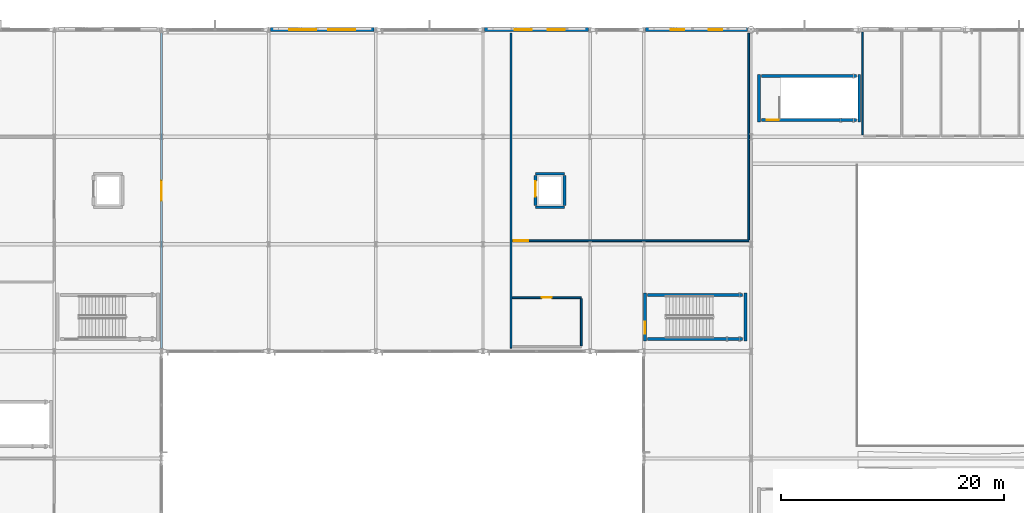
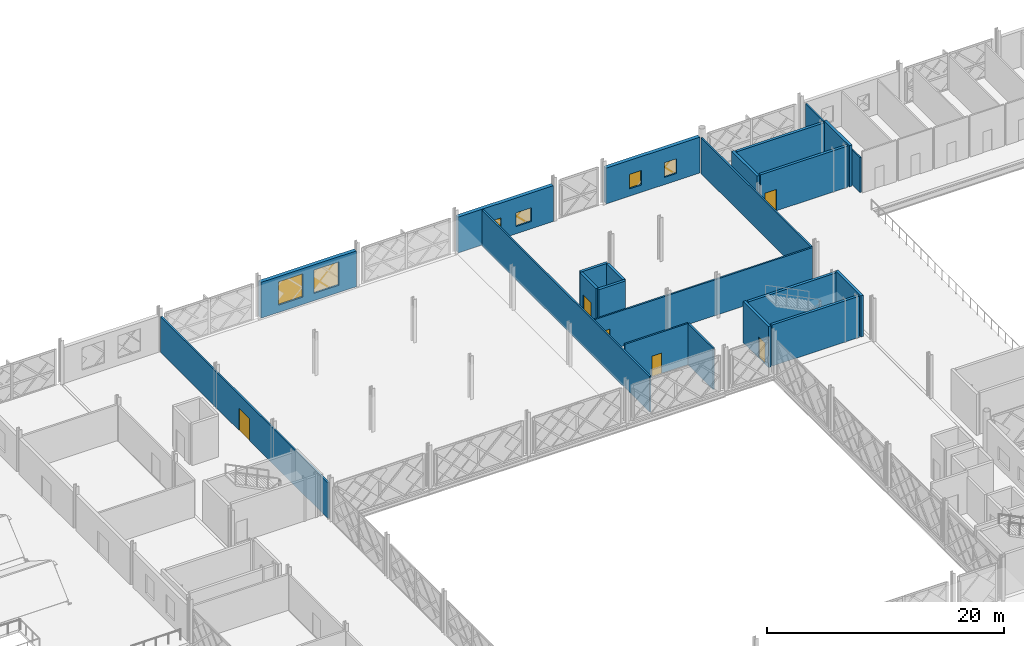
# One storey, part 69 of 101: 22 walls, 6 doors, 6 windows, 12 openings.
"""IFC4 building model written with IfcOpenShell, lengths in metres."""

from ifc_helpers import new_model, si_unit, direction, frame, frame_2d, origin, place, context, subcontext, project, spatial, rectangle, extrude, material, layer, layer_set, type_object, element, fill, save


model = new_model("IFC4")

# Units and contexts
model_context = context("Model", 3, precision=1e-05, world=origin(), true_north=direction((0.0, 1.0)))
body_context = subcontext(model_context, "Body", "Model", "MODEL_VIEW")
ifc_project = project(units=[si_unit("LENGTHUNIT", "METRE"), si_unit("AREAUNIT", "SQUARE_METRE"), si_unit("VOLUMEUNIT", "CUBIC_METRE"), si_unit("PLANEANGLEUNIT", "RADIAN"), si_unit("MASSUNIT", "GRAM", prefix="KILO")], contexts=[model_context])

# Site, building, storey
site_placement = place(None, origin())
site = spatial("IfcSite", under=ifc_project, at=site_placement, CompositionType="ELEMENT")
building_placement = place(site_placement, origin())
building = spatial("IfcBuilding", under=site, at=building_placement, Name="Zevrakil Square Congress Hotel", CompositionType="ELEMENT")
storey_placement = place(building_placement, frame((0.0, 0.0, 5.39990234375)))
storey = spatial("IfcBuildingStorey", under=building, at=storey_placement, Name="L02", CompositionType="ELEMENT", Elevation=5.39990234375)

# Wall
ifc_material_1 = material(Name="Acoustic ISO-2603 Booth Partition")
ifc_layer_1 = layer(ifc_material_1, 0.139892578125)
ifc_layer_set_1 = layer_set([ifc_layer_1], Name="Acoustic ISO-2603 Booth Partition")
wall_type_1 = type_object("IfcWallType", Name="WAL-BOOTH-140", PredefinedType="PARTITIONING", material=ifc_layer_set_1)
wall_1_placement = place(storey_placement, frame((127.60009765625, 103.3798828125, 0.0), z_axis=(0.0, 0.0, 1.0), x_axis=(0.0, 1.0, 0.0)))
element("IfcWall", 1, at=wall_1_placement, inside=storey, type_object=wall_type_1, Name="L02 interior partition PW-L02-0190", PredefinedType="PARTITIONING", context=body_context, shape_type="SweptSolid", body=[
    extrude(rectangle(XDim=9.2001953125, YDim=0.139892578125, at=frame_2d((4.60009765625, 0.0))), origin(), (0.0, 0.0, 1.0), 3.5751953125),
])

# Wall, opening, door
ifc_material_2 = material(Name="Gypsum Acoustic Stud Partition")
ifc_layer_2 = layer(ifc_material_2, 0.159912109375)
ifc_layer_set_2 = layer_set([ifc_layer_2], Name="Gypsum Acoustic Stud Partition")
wall_type_2 = type_object("IfcWallType", Name="WAL-CORR-160", PredefinedType="PARTITIONING", material=ifc_layer_set_2)
wall_2_placement = place(storey_placement, frame((64.800048828125, 84.284912109375, 0.0), z_axis=(0.0, 0.0, 1.0), x_axis=(0.0, 1.0, 0.0)))
wall_2 = element("IfcWall", 2, at=wall_2_placement, inside=storey, type_object=wall_type_2, Name="L02 interior partition PW-L02-0206", PredefinedType="PARTITIONING", context=body_context, shape_type="SweptSolid", body=[
    extrude(rectangle(XDim=28.210205078125, YDim=0.159912109375, at=frame_2d((14.10498046875, 0.0))), origin(), (0.0, 0.0, 1.0), 3.68505859375),
])
opening_1_placement = place(wall_2_placement, frame((13.205078125, 0.0, 0.0)))
opening_1 = element("IfcOpeningElement", 3, at=opening_1_placement, cuts=wall_2, Name="Opening ID-04", PredefinedType="OPENING", context=body_context, shape_type="SweptSolid", body=[
    extrude(rectangle(XDim=1.800048828125, YDim=2.300048828125, at=frame_2d((0.89990234375, 1.14990234375))), frame((0.0, 0.08984375, 0.0), z_axis=(0.0, -1.0, 0.0), x_axis=(1.0, 0.0, 0.0)), (0.0, 0.0, 1.0), 0.179931640625),
])
ifc_material_3 = material(Name="Diplomatic Boardroom Double Door")
door_type_1 = type_object("IfcDoorType", Name="DOR-MTG-180", OperationType="NOTDEFINED", PredefinedType="DOOR", material=ifc_material_3)
door_1_placement = place(opening_1_placement, origin())
door_1 = element("IfcDoor", 4, at=door_1_placement, inside=storey, type_object=door_type_1, Name="L02 interior door 87", OperationType="DOUBLE_DOOR_SINGLE_SWING", OverallHeight=2.300048828125, OverallWidth=1.800048828125, PredefinedType="DOOR", context=body_context, shape_type="SweptSolid", body=[
    extrude(rectangle(XDim=1.800048828125, YDim=2.300048828125, at=frame_2d((0.89990234375, 1.14990234375))), frame((0.0, 0.02490234375, 0.0), z_axis=(0.0, -1.0, 0.0), x_axis=(1.0, 0.0, 0.0)), (0.0, 0.0, 1.0), 0.050048828125),
])
fill(opening_1, door_1)

# Wall
wall_3_placement = place(storey_placement, frame((96.10009765625, 84.284912109375, 0.0), z_axis=(0.0, 0.0, 1.0), x_axis=(0.0, 1.0, 0.0)))
element("IfcWall", 5, at=wall_3_placement, inside=storey, type_object=wall_type_2, Name="L02 interior partition PW-L02-0207", PredefinedType="PARTITIONING", context=body_context, shape_type="SweptSolid", body=[
    extrude(rectangle(XDim=28.210205078125, YDim=0.159912109375, at=frame_2d((14.10498046875, 0.0))), origin(), (0.0, 0.0, 1.0), 3.68505859375),
])

# Wall, opening, door
wall_4_placement = place(storey_placement, frame((96.199951171875, 93.89990234375, 0.0), z_axis=(0.0, 0.0, 1.0), x_axis=(1.0, 0.0, 0.0)))
wall_4 = element("IfcWall", 6, at=wall_4_placement, inside=storey, type_object=wall_type_2, Name="L02 interior partition PW-L02-0208", PredefinedType="PARTITIONING", context=body_context, shape_type="SweptSolid", body=[
    extrude(rectangle(XDim=21.199951171875, YDim=0.159912109375, at=frame_2d((10.60009765625, 0.0))), origin(), (0.0, 0.0, 1.0), 3.68505859375),
])
opening_2_placement = place(wall_4_placement, frame((0.159912109375, 0.0, 0.0)))
opening_2 = element("IfcOpeningElement", 7, at=opening_2_placement, cuts=wall_4, Name="Opening ID-08", PredefinedType="OPENING", context=body_context, shape_type="SweptSolid", body=[
    extrude(rectangle(XDim=1.300048828125, YDim=2.199951171875, at=frame_2d((0.64990234375, 1.10009765625))), frame((0.0, 0.08984375, 0.0), z_axis=(0.0, -1.0, 0.0), x_axis=(1.0, 0.0, 0.0)), (0.0, 0.0, 1.0), 0.179931640625),
])
ifc_material_4 = material(Name="Service Corridor Leaf-and-Half Door")
door_type_2 = type_object("IfcDoorType", Name="DOR-BOH-130", OperationType="NOTDEFINED", PredefinedType="DOOR", material=ifc_material_4)
door_2_placement = place(opening_2_placement, origin())
door_2 = element("IfcDoor", 8, at=door_2_placement, inside=storey, type_object=door_type_2, Name="L02 interior door 88", OperationType="SINGLE_SWING_RIGHT", OverallHeight=2.199951171875, OverallWidth=1.300048828125, PredefinedType="DOOR", context=body_context, shape_type="SweptSolid", body=[
    extrude(rectangle(XDim=1.300048828125, YDim=2.199951171875, at=frame_2d((0.64990234375, 1.10009765625))), frame((0.0, 0.02490234375, 0.0), z_axis=(0.0, -1.0, 0.0), x_axis=(1.0, 0.0, 0.0)), (0.0, 0.0, 1.0), 0.050048828125),
])
fill(opening_2, door_2)

# Wall
wall_5_placement = place(storey_placement, frame((117.39990234375, 93.985107421875, 0.0), z_axis=(0.0, 0.0, 1.0), x_axis=(0.0, 1.0, 0.0)))
element("IfcWall", 9, at=wall_5_placement, inside=storey, type_object=wall_type_2, Name="L02 interior partition PW-L02-0209", PredefinedType="PARTITIONING", context=body_context, shape_type="SweptSolid", body=[
    extrude(rectangle(XDim=18.510009765625, YDim=0.159912109375, at=frame_2d((9.2548828125, 0.0))), origin(), (0.0, 0.0, 1.0), 3.68505859375),
])

# Wall, opening, door
wall_6_placement = place(storey_placement, frame((96.199951171875, 88.800048828125, 0.0), z_axis=(0.0, 0.0, 1.0), x_axis=(1.0, 0.0, 0.0)))
wall_6 = element("IfcWall", 10, at=wall_6_placement, inside=storey, type_object=wall_type_2, Name="L02 interior partition PW-L02-0211", PredefinedType="PARTITIONING", context=body_context, shape_type="SweptSolid", body=[
    extrude(rectangle(XDim=6.199951171875, YDim=0.159912109375, at=frame_2d((3.10009765625, 0.0))), origin(), (0.0, 0.0, 1.0), 4.239990234375),
])
opening_3_placement = place(wall_6_placement, frame((2.639892578125, 0.0, 0.0)))
opening_3 = element("IfcOpeningElement", 11, at=opening_3_placement, cuts=wall_6, Name="Opening ID-07", PredefinedType="OPENING", context=body_context, shape_type="SweptSolid", body=[
    extrude(rectangle(XDim=0.919921875, YDim=2.10009765625, at=frame_2d((0.4599609375, 1.050048828125))), frame((0.0, 0.08984375, 0.0), z_axis=(0.0, -1.0, 0.0), x_axis=(1.0, 0.0, 0.0)), (0.0, 0.0, 1.0), 0.179931640625),
])
ifc_material_5 = material(Name="Accessible Restroom Door")
door_type_3 = type_object("IfcDoorType", Name="DOR-WC-092", OperationType="NOTDEFINED", PredefinedType="DOOR", material=ifc_material_5)
door_3_placement = place(opening_3_placement, origin())
door_3 = element("IfcDoor", 12, at=door_3_placement, inside=storey, type_object=door_type_3, Name="L02 interior door 89", OperationType="SINGLE_SWING_LEFT", OverallHeight=2.10009765625, OverallWidth=0.919921875, PredefinedType="DOOR", context=body_context, shape_type="SweptSolid", body=[
    extrude(rectangle(XDim=0.919921875, YDim=2.10009765625, at=frame_2d((0.4599609375, 1.050048828125))), frame((0.0, 0.02490234375, 0.0), z_axis=(0.0, -1.0, 0.0), x_axis=(1.0, 0.0, 0.0)), (0.0, 0.0, 1.0), 0.050048828125),
])
fill(opening_3, door_3)

# Wall
wall_7_placement = place(storey_placement, frame((102.39990234375, 84.485107421875, 0.0), z_axis=(0.0, 0.0, 1.0), x_axis=(0.0, 1.0, 0.0)))
element("IfcWall", 13, at=wall_7_placement, inside=storey, type_object=wall_type_2, Name="L02 interior partition PW-L02-0212", PredefinedType="PARTITIONING", context=body_context, shape_type="SweptSolid", body=[
    extrude(rectangle(XDim=4.22998046875, YDim=0.159912109375, at=frame_2d((2.114990234375, 0.0))), origin(), (0.0, 0.0, 1.0), 4.239990234375),
])

# Wall, openings, windows
ifc_material_6 = material(Name="Precast concrete C40/50", Category="concrete")
ifc_layer_3 = layer(ifc_material_6, 0.360107421875)
ifc_layer_set_3 = layer_set([ifc_layer_3], Name="Precast concrete C40/50")
wall_type_3 = type_object("IfcWallType", Name="WAL-EXT-GRC-360", PredefinedType="SOLIDWALL", material=ifc_layer_set_3)
wall_8_placement = place(storey_placement, frame((74.553955078125, 112.800048828125, 0.0), z_axis=(0.0, 0.0, 1.0), x_axis=(1.0, 0.0, 0.0)))
wall_8 = element("IfcWall", 14, at=wall_8_placement, inside=storey, type_object=wall_type_3, Name="L02 exterior GRC wall EW-L02-0052", PredefinedType="SOLIDWALL", context=body_context, shape_type="SweptSolid", body=[
    extrude(rectangle(XDim=9.2919921875, YDim=0.360107421875, at=frame_2d((4.64599609375, 0.0))), origin(), (0.0, 0.0, 1.0), 3.68505859375),
])
opening_4_placement = place(wall_8_placement, frame((1.697998046875, 0.0, 0.75)))
opening_4 = element("IfcOpeningElement", 15, at=opening_4_placement, cuts=wall_8, Name="Opening WN-43", PredefinedType="OPENING", context=body_context, shape_type="SweptSolid", body=[
    extrude(rectangle(XDim=2.39990234375, YDim=2.39990234375, at=frame_2d((1.199951171875, 1.199951171875))), frame((0.0, 0.18994140625, 0.0), z_axis=(0.0, -1.0, 0.0), x_axis=(1.0, 0.0, 0.0)), (0.0, 0.0, 1.0), 0.380126953125),
])
opening_5_placement = place(wall_8_placement, frame((5.194091796875, 0.0, 0.75)))
opening_5 = element("IfcOpeningElement", 16, at=opening_5_placement, cuts=wall_8, Name="Opening WN-43", PredefinedType="OPENING", context=body_context, shape_type="SweptSolid", body=[
    extrude(rectangle(XDim=2.39990234375, YDim=2.39990234375, at=frame_2d((1.199951171875, 1.199951171875))), frame((0.0, 0.18994140625, 0.0), z_axis=(0.0, -1.0, 0.0), x_axis=(1.0, 0.0, 0.0)), (0.0, 0.0, 1.0), 0.380126953125),
])
ifc_material_7 = material(Name="Low-E Solar Control Double Glazing", Category="glass")
window_type_1 = type_object("IfcWindowType", Name="WIN-EXT-43", PartitioningType="SINGLE_PANEL", PredefinedType="WINDOW", material=ifc_material_7)
window_1_placement = place(opening_4_placement, origin())
window_1 = element("IfcWindow", 17, at=window_1_placement, inside=storey, type_object=window_type_1, Name="L02 low-E solar window 43", OverallHeight=2.39990234375, OverallWidth=2.39990234375, PartitioningType="SINGLE_PANEL", PredefinedType="WINDOW", context=body_context, shape_type="SweptSolid", body=[
    extrude(rectangle(XDim=2.39990234375, YDim=2.39990234375, at=frame_2d((1.199951171875, 1.199951171875))), frame((0.0, 0.030029296875, 0.0), z_axis=(0.0, -1.0, 0.0), x_axis=(1.0, 0.0, 0.0)), (0.0, 0.0, 1.0), 0.06005859375),
])
fill(opening_4, window_1)
window_2_placement = place(opening_5_placement, origin())
window_2 = element("IfcWindow", 18, at=window_2_placement, inside=storey, type_object=window_type_1, Name="L02 low-E solar window 44", OverallHeight=2.39990234375, OverallWidth=2.39990234375, PartitioningType="SINGLE_PANEL", PredefinedType="WINDOW", context=body_context, shape_type="SweptSolid", body=[
    extrude(rectangle(XDim=2.39990234375, YDim=2.39990234375, at=frame_2d((1.199951171875, 1.199951171875))), frame((0.0, 0.030029296875, 0.0), z_axis=(0.0, -1.0, 0.0), x_axis=(1.0, 0.0, 0.0)), (0.0, 0.0, 1.0), 0.06005859375),
])
fill(opening_5, window_2)

wall_9_placement = place(storey_placement, frame((93.75390625, 112.800048828125, 0.0), z_axis=(0.0, 0.0, 1.0), x_axis=(1.0, 0.0, 0.0)))
wall_9 = element("IfcWall", 19, at=wall_9_placement, inside=storey, type_object=wall_type_3, Name="L02 exterior GRC wall EW-L02-0056", PredefinedType="SOLIDWALL", context=body_context, shape_type="SweptSolid", body=[
    extrude(rectangle(XDim=9.2919921875, YDim=0.360107421875, at=frame_2d((4.64599609375, 0.0))), origin(), (0.0, 0.0, 1.0), 3.68505859375),
])
opening_6_placement = place(wall_9_placement, frame((2.697998046875, 0.0, 0.75)))
opening_6 = element("IfcOpeningElement", 20, at=opening_6_placement, cuts=wall_9, Name="Opening WN-03", PredefinedType="OPENING", context=body_context, shape_type="SweptSolid", body=[
    extrude(rectangle(XDim=1.5, YDim=1.39990234375, at=frame_2d((0.75, 0.699951171875))), frame((0.0, 0.18994140625, 0.0), z_axis=(0.0, -1.0, 0.0), x_axis=(1.0, 0.0, 0.0)), (0.0, 0.0, 1.0), 0.380126953125),
])
opening_7_placement = place(wall_9_placement, frame((5.64404296875, 0.0, 0.75)))
opening_7 = element("IfcOpeningElement", 21, at=opening_7_placement, cuts=wall_9, Name="Opening WN-03", PredefinedType="OPENING", context=body_context, shape_type="SweptSolid", body=[
    extrude(rectangle(XDim=1.5, YDim=1.39990234375, at=frame_2d((0.75, 0.699951171875))), frame((0.0, 0.18994140625, 0.0), z_axis=(0.0, -1.0, 0.0), x_axis=(1.0, 0.0, 0.0)), (0.0, 0.0, 1.0), 0.380126953125),
])
ifc_material_8 = material(Name="Low-E Solar Control Double Glazing", Category="glass")
window_type_2 = type_object("IfcWindowType", Name="WIN-EXT-03", PartitioningType="SINGLE_PANEL", PredefinedType="WINDOW", material=ifc_material_8)
window_3_placement = place(opening_6_placement, origin())
window_3 = element("IfcWindow", 22, at=window_3_placement, inside=storey, type_object=window_type_2, Name="L02 low-E solar window 47", OverallHeight=1.39990234375, OverallWidth=1.5, PartitioningType="SINGLE_PANEL", PredefinedType="WINDOW", context=body_context, shape_type="SweptSolid", body=[
    extrude(rectangle(XDim=1.5, YDim=1.39990234375, at=frame_2d((0.75, 0.699951171875))), frame((0.0, 0.030029296875, 0.0), z_axis=(0.0, -1.0, 0.0), x_axis=(1.0, 0.0, 0.0)), (0.0, 0.0, 1.0), 0.06005859375),
])
fill(opening_6, window_3)
window_4_placement = place(opening_7_placement, origin())
window_4 = element("IfcWindow", 23, at=window_4_placement, inside=storey, type_object=window_type_2, Name="L02 low-E solar window 48", OverallHeight=1.39990234375, OverallWidth=1.5, PartitioningType="SINGLE_PANEL", PredefinedType="WINDOW", context=body_context, shape_type="SweptSolid", body=[
    extrude(rectangle(XDim=1.5, YDim=1.39990234375, at=frame_2d((0.75, 0.699951171875))), frame((0.0, 0.030029296875, 0.0), z_axis=(0.0, -1.0, 0.0), x_axis=(1.0, 0.0, 0.0)), (0.0, 0.0, 1.0), 0.06005859375),
])
fill(opening_7, window_4)

wall_10_placement = place(storey_placement, frame((108.154052734375, 112.800048828125, 0.0), z_axis=(0.0, 0.0, 1.0), x_axis=(1.0, 0.0, 0.0)))
wall_10 = element("IfcWall", 24, at=wall_10_placement, inside=storey, type_object=wall_type_3, Name="L02 exterior GRC wall EW-L02-0060", PredefinedType="SOLIDWALL", context=body_context, shape_type="SweptSolid", body=[
    extrude(rectangle(XDim=9.136962890625, YDim=0.360107421875, at=frame_2d((4.568359375, 0.0))), origin(), (0.0, 0.0, 1.0), 3.68505859375),
])
opening_8_placement = place(wall_10_placement, frame((2.25927734375, 0.0, 0.75)))
opening_8 = element("IfcOpeningElement", 25, at=opening_8_placement, cuts=wall_10, Name="Opening WN-07", PredefinedType="OPENING", context=body_context, shape_type="SweptSolid", body=[
    extrude(rectangle(XDim=1.199951171875, YDim=1.5, at=frame_2d((0.60009765625, 0.75))), frame((0.0, 0.18994140625, 0.0), z_axis=(0.0, -1.0, 0.0), x_axis=(1.0, 0.0, 0.0)), (0.0, 0.0, 1.0), 0.380126953125),
])
opening_9_placement = place(wall_10_placement, frame((5.677734375, 0.0, 0.75)))
opening_9 = element("IfcOpeningElement", 26, at=opening_9_placement, cuts=wall_10, Name="Opening WN-07", PredefinedType="OPENING", context=body_context, shape_type="SweptSolid", body=[
    extrude(rectangle(XDim=1.199951171875, YDim=1.5, at=frame_2d((0.60009765625, 0.75))), frame((0.0, 0.18994140625, 0.0), z_axis=(0.0, -1.0, 0.0), x_axis=(1.0, 0.0, 0.0)), (0.0, 0.0, 1.0), 0.380126953125),
])
ifc_material_9 = material(Name="Low-E Solar Control Double Glazing", Category="glass")
window_type_3 = type_object("IfcWindowType", Name="WIN-EXT-07", PartitioningType="SINGLE_PANEL", PredefinedType="WINDOW", material=ifc_material_9)
window_5_placement = place(opening_8_placement, origin())
window_5 = element("IfcWindow", 27, at=window_5_placement, inside=storey, type_object=window_type_3, Name="L02 low-E solar window 51", OverallHeight=1.5, OverallWidth=1.199951171875, PartitioningType="SINGLE_PANEL", PredefinedType="WINDOW", context=body_context, shape_type="SweptSolid", body=[
    extrude(rectangle(XDim=1.199951171875, YDim=1.5, at=frame_2d((0.60009765625, 0.75))), frame((0.0, 0.030029296875, 0.0), z_axis=(0.0, -1.0, 0.0), x_axis=(1.0, 0.0, 0.0)), (0.0, 0.0, 1.0), 0.06005859375),
])
fill(opening_8, window_5)
window_6_placement = place(opening_9_placement, origin())
window_6 = element("IfcWindow", 28, at=window_6_placement, inside=storey, type_object=window_type_3, Name="L02 low-E solar window 52", OverallHeight=1.5, OverallWidth=1.199951171875, PartitioningType="SINGLE_PANEL", PredefinedType="WINDOW", context=body_context, shape_type="SweptSolid", body=[
    extrude(rectangle(XDim=1.199951171875, YDim=1.5, at=frame_2d((0.60009765625, 0.75))), frame((0.0, 0.030029296875, 0.0), z_axis=(0.0, -1.0, 0.0), x_axis=(1.0, 0.0, 0.0)), (0.0, 0.0, 1.0), 0.06005859375),
])
fill(opening_9, window_6)

# Wall, opening, door
ifc_material_10 = material(Name="Concrete C40/50", Category="concrete")
ifc_layer_4 = layer(ifc_material_10, 0.260009765625)
ifc_layer_set_4 = layer_set([ifc_layer_4], Name="Concrete C40/50")
wall_type_4 = type_object("IfcWallType", Name="WAL-SHAFT-260", PredefinedType="SHEAR", material=ifc_layer_set_4)
wall_11_placement = place(storey_placement, frame((108.10498046875, 84.93994140625, 0.0), z_axis=(0.0, 0.0, 1.0), x_axis=(0.0, 1.0, 0.0)))
wall_11 = element("IfcWall", 29, at=wall_11_placement, inside=storey, type_object=wall_type_4, Name="L02 ST06 stair shaft W wall", PredefinedType="SHEAR", context=body_context, shape_type="SweptSolid", body=[
    extrude(rectangle(XDim=4.27001953125, YDim=0.260009765625, at=frame_2d((2.135009765625, 0.0))), origin(), (0.0, 0.0, 1.0), 4.239990234375),
])
opening_10_placement = place(wall_11_placement, frame((0.610107421875, 0.0, 0.0)))
opening_10 = element("IfcOpeningElement", 30, at=opening_10_placement, cuts=wall_11, Name="Opening SD-ST06", PredefinedType="OPENING", context=body_context, shape_type="SweptSolid", body=[
    extrude(rectangle(XDim=1.10009765625, YDim=2.199951171875, at=frame_2d((0.550048828125, 1.10009765625))), frame((0.0, 0.14013671875, 0.0), z_axis=(0.0, -1.0, 0.0), x_axis=(1.0, 0.0, 0.0)), (0.0, 0.0, 1.0), 0.280029296875),
])
ifc_material_11 = material(Name="Steel S355 Fire-Rated Door", Category="steel")
door_type_4 = type_object("IfcDoorType", Name="DOR-STAIR-FD90-110", OperationType="NOTDEFINED", PredefinedType="DOOR", material=ifc_material_11)
door_4_placement = place(opening_10_placement, origin())
door_4 = element("IfcDoor", 31, at=door_4_placement, inside=storey, type_object=door_type_4, Name="L02 ST06 protected stair fire door", OperationType="SINGLE_SWING_RIGHT", OverallHeight=2.199951171875, OverallWidth=1.10009765625, PredefinedType="DOOR", context=body_context, shape_type="SweptSolid", body=[
    extrude(rectangle(XDim=1.10009765625, YDim=2.199951171875, at=frame_2d((0.550048828125, 1.10009765625))), frame((0.0, 0.02490234375, 0.0), z_axis=(0.0, -1.0, 0.0), x_axis=(1.0, 0.0, 0.0)), (0.0, 0.0, 1.0), 0.050048828125),
])
fill(opening_10, door_4)

# Walls
wall_12_placement = place(storey_placement, frame((117.094970703125, 84.93994140625, 0.0), z_axis=(0.0, 0.0, 1.0), x_axis=(0.0, 1.0, 0.0)))
element("IfcWall", 32, at=wall_12_placement, inside=storey, type_object=wall_type_4, Name="L02 ST06 stair shaft E wall", PredefinedType="SHEAR", context=body_context, shape_type="SweptSolid", body=[
    extrude(rectangle(XDim=4.27001953125, YDim=0.260009765625, at=frame_2d((2.135009765625, 0.0))), origin(), (0.0, 0.0, 1.0), 4.239990234375),
])
for number, where, z_axis, x_axis, name in (
    (33, (108.340087890625, 85.10498046875, 0.0), (0.0, 0.0, 1.0), (1.0, 0.0, 0.0), "L02 ST06 stair shaft S wall"),
    (34, (108.340087890625, 89.044921875, 0.0), (0.0, 0.0, 1.0), (1.0, 0.0, 0.0), "L02 ST06 stair shaft N wall"),
):
    element("IfcWall", number, at=place(storey_placement, frame(where, z_axis=z_axis, x_axis=x_axis)), inside=storey, type_object=wall_type_4, Name=name, PredefinedType="SHEAR", context=body_context, shape_type="SweptSolid", body=[
        extrude(rectangle(XDim=8.52001953125, YDim=0.260009765625, at=frame_2d((4.260009765625, 0.0))), origin(), (0.0, 0.0, 1.0), 4.239990234375),
    ])
for number, where, z_axis, x_axis, name in (
    (35, (118.304931640625, 104.5400390625, 0.0), (0.0, 0.0, 1.0), (0.0, 1.0, 0.0), "L02 ST11 stair shaft W wall"),
    (36, (127.294921875, 104.5400390625, 0.0), (0.0, 0.0, 1.0), (0.0, 1.0, 0.0), "L02 ST11 stair shaft E wall"),
):
    element("IfcWall", number, at=place(storey_placement, frame(where, z_axis=z_axis, x_axis=x_axis)), inside=storey, type_object=wall_type_4, Name=name, PredefinedType="SHEAR", context=body_context, shape_type="SweptSolid", body=[
        extrude(rectangle(XDim=4.27001953125, YDim=0.260009765625, at=frame_2d((2.135009765625, 0.0))), origin(), (0.0, 0.0, 1.0), 4.239990234375),
    ])

# Wall, opening, door
wall_13_placement = place(storey_placement, frame((118.5400390625, 104.705078125, 0.0), z_axis=(0.0, 0.0, 1.0), x_axis=(1.0, 0.0, 0.0)))
wall_13 = element("IfcWall", 37, at=wall_13_placement, inside=storey, type_object=wall_type_4, Name="L02 ST11 stair shaft S wall", PredefinedType="SHEAR", context=body_context, shape_type="SweptSolid", body=[
    extrude(rectangle(XDim=8.52001953125, YDim=0.260009765625, at=frame_2d((4.260009765625, 0.0))), origin(), (0.0, 0.0, 1.0), 4.239990234375),
])
opening_11_placement = place(wall_13_placement, frame((0.449951171875, 0.0, 0.0)))
opening_11 = element("IfcOpeningElement", 38, at=opening_11_placement, cuts=wall_13, Name="Opening SD-ST11", PredefinedType="OPENING", context=body_context, shape_type="SweptSolid", body=[
    extrude(rectangle(XDim=1.10009765625, YDim=2.199951171875, at=frame_2d((0.550048828125, 1.10009765625))), frame((0.0, 0.14013671875, 0.0), z_axis=(0.0, -1.0, 0.0), x_axis=(1.0, 0.0, 0.0)), (0.0, 0.0, 1.0), 0.280029296875),
])
door_5_placement = place(opening_11_placement, origin())
door_5 = element("IfcDoor", 39, at=door_5_placement, inside=storey, type_object=door_type_4, Name="L02 ST11 protected stair fire door", OperationType="SINGLE_SWING_LEFT", OverallHeight=2.199951171875, OverallWidth=1.10009765625, PredefinedType="DOOR", context=body_context, shape_type="SweptSolid", body=[
    extrude(rectangle(XDim=1.10009765625, YDim=2.199951171875, at=frame_2d((0.550048828125, 1.10009765625))), frame((0.0, 0.02490234375, 0.0), z_axis=(0.0, -1.0, 0.0), x_axis=(1.0, 0.0, 0.0)), (0.0, 0.0, 1.0), 0.050048828125),
])
fill(opening_11, door_5)

# Walls
wall_14_placement = place(storey_placement, frame((118.5400390625, 108.64501953125, 0.0), z_axis=(0.0, 0.0, 1.0), x_axis=(1.0, 0.0, 0.0)))
element("IfcWall", 40, at=wall_14_placement, inside=storey, type_object=wall_type_4, Name="L02 ST11 stair shaft N wall", PredefinedType="SHEAR", context=body_context, shape_type="SweptSolid", body=[
    extrude(rectangle(XDim=8.52001953125, YDim=0.260009765625, at=frame_2d((4.260009765625, 0.0))), origin(), (0.0, 0.0, 1.0), 4.239990234375),
])
for number, where, z_axis, x_axis, name in (
    (41, (98.300048828125, 96.89990234375, 0.0), (0.0, 0.0, 1.0), (1.0, 0.0, 0.0), "L02 SL3 lift shaft wall"),
    (42, (98.300048828125, 99.89990234375, 0.0), (0.0, 0.0, 1.0), (1.0, 0.0, 0.0), "L02 SL3 lift shaft wall"),
):
    element("IfcWall", number, at=place(storey_placement, frame(where, z_axis=z_axis, x_axis=x_axis)), inside=storey, type_object=wall_type_4, Name=name, PredefinedType="SHEAR", context=body_context, shape_type="SweptSolid", body=[
        extrude(rectangle(XDim=2.599853515625, YDim=0.260009765625, at=frame_2d((1.2998046875, 0.0))), origin(), (0.0, 0.0, 1.0), 4.239990234375),
    ])

# Wall, opening, door
wall_15_placement = place(storey_placement, frame((98.300048828125, 97.0400390625, 0.0), z_axis=(0.0, 0.0, 1.0), x_axis=(0.0, 1.0, 0.0)))
wall_15 = element("IfcWall", 43, at=wall_15_placement, inside=storey, type_object=wall_type_4, Name="L02 SL3 lift shaft wall", PredefinedType="SHEAR", context=body_context, shape_type="SweptSolid", body=[
    extrude(rectangle(XDim=2.719970703125, YDim=0.260009765625, at=frame_2d((1.35986328125, 0.0))), origin(), (0.0, 0.0, 1.0), 4.239990234375),
])
opening_12_placement = place(wall_15_placement, frame((0.800048828125, 0.0, 0.0)))
opening_12 = element("IfcOpeningElement", 44, at=opening_12_placement, cuts=wall_15, Name="Opening LD-SL3", PredefinedType="OPENING", context=body_context, shape_type="SweptSolid", body=[
    extrude(rectangle(XDim=1.39990234375, YDim=2.300048828125, at=frame_2d((0.699951171875, 1.14990234375))), frame((0.0, 0.14013671875, 0.0), z_axis=(0.0, -1.0, 0.0), x_axis=(1.0, 0.0, 0.0)), (0.0, 0.0, 1.0), 0.280029296875),
])
ifc_material_12 = material(Name="Goods Service Sliding Landing Door")
door_type_5 = type_object("IfcDoorType", Name="DOR-LIFT-LD140", OperationType="NOTDEFINED", PredefinedType="DOOR", material=ifc_material_12)
door_6_placement = place(opening_12_placement, origin())
door_6 = element("IfcDoor", 45, at=door_6_placement, inside=storey, type_object=door_type_5, Name="L02 SL3 sliding lift landing door", OperationType="SLIDING_TO_LEFT", OverallHeight=2.300048828125, OverallWidth=1.39990234375, PredefinedType="DOOR", context=body_context, shape_type="SweptSolid", body=[
    extrude(rectangle(XDim=1.39990234375, YDim=2.300048828125, at=frame_2d((0.699951171875, 1.14990234375))), frame((0.0, 0.02490234375, 0.0), z_axis=(0.0, -1.0, 0.0), x_axis=(1.0, 0.0, 0.0)), (0.0, 0.0, 1.0), 0.050048828125),
])
fill(opening_12, door_6)

# Wall
wall_16_placement = place(storey_placement, frame((100.89990234375, 97.0400390625, 0.0), z_axis=(0.0, 0.0, 1.0), x_axis=(0.0, 1.0, 0.0)))
element("IfcWall", 46, at=wall_16_placement, inside=storey, type_object=wall_type_4, Name="L02 SL3 lift shaft wall", PredefinedType="SHEAR", context=body_context, shape_type="SweptSolid", body=[
    extrude(rectangle(XDim=2.719970703125, YDim=0.260009765625, at=frame_2d((1.35986328125, 0.0))), origin(), (0.0, 0.0, 1.0), 4.239990234375),
])

save(model, "model.ifc")
